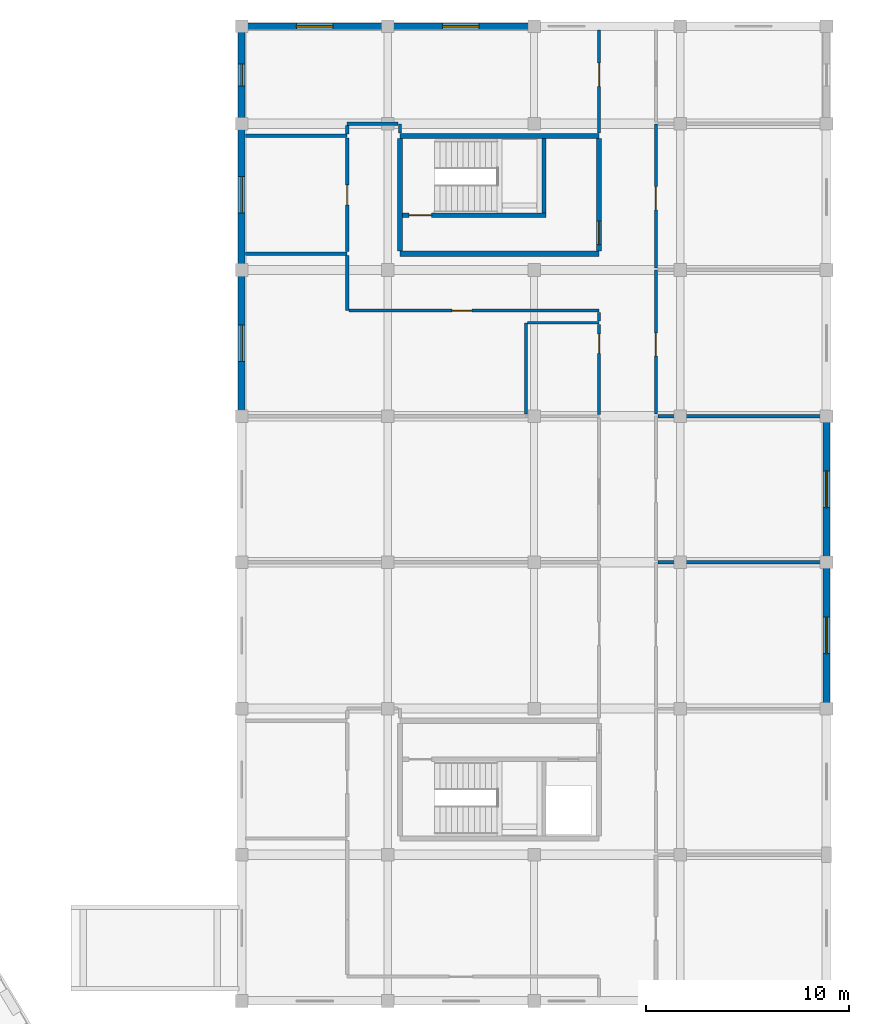
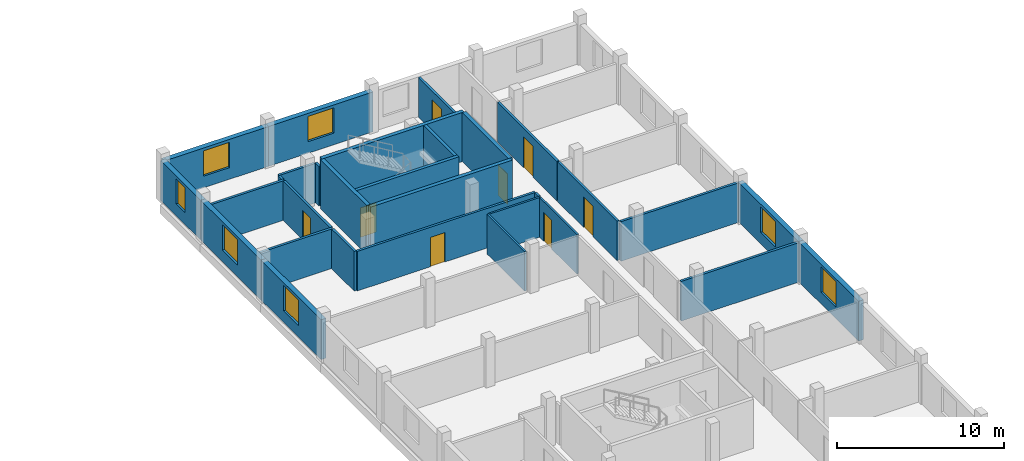
# One storey, part 83 of 93: 30 walls, 8 doors, 7 windows, 15 openings.
"""IFC4 building model written with IfcOpenShell, lengths in metres."""

import ifcopenshell
import ifcopenshell.guid

model = None  # the IFC model being written
_history = None  # IfcOwnerHistory: only IFC2X3 demands one
_inside = {}  # id of a spatial element -> (the spatial element, [elements in it])
_under = {}  # id of a project, library or spatial element -> (it, [spatial elements below it])
_declared = {}  # id of a project -> (the project, [libraries it declares])
_typed = {}  # id of a type object -> (the type object, [elements of that type])
_made_of = {}  # id of a material, layer set ... -> (it, [elements and type objects made of it])


def new_model(schema):
    """Start an empty IFC model of exactly this schema.

    Asked for "IFC4X3", IfcOpenShell would pick the latest addendum, in which some entities
    have other attributes; the version numbers below select the first issue.
    IFC2X3 requires an IfcOwnerHistory on every rooted entity: one is made here for all.
    """
    global model, _history
    if schema == "IFC4X3":
        model = ifcopenshell.file(schema_version=(4, 3, 0, 0))
    else:
        model = ifcopenshell.file(schema=schema)
    _inside.clear()
    _under.clear()
    _declared.clear()
    _typed.clear()
    _made_of.clear()
    _history = None
    if model.schema == "IFC2X3":
        org = make("IfcOrganization", Name="unknown")
        user = make(
            "IfcPersonAndOrganization",
            ThePerson=make("IfcPerson", FamilyName="unknown"),
            TheOrganization=org,
        )
        app = make(
            "IfcApplication",
            ApplicationDeveloper=org,
            Version="unknown",
            ApplicationFullName="unknown",
            ApplicationIdentifier="unknown",
        )
        _history = make(
            "IfcOwnerHistory",
            OwningUser=user,
            OwningApplication=app,
            ChangeAction="ADDED",
            CreationDate=0,
        )
    return model


def make(cls, **values):
    """One entity of the class cls with the attributes given. An attribute that is None is left unset."""
    return model.create_entity(
        cls, **{name: value for name, value in values.items() if value is not None}
    )


def rooted(cls, **values):
    """An entity with a GlobalId (a new one), such as an element, a storey or a relation."""
    return make(cls, GlobalId=ifcopenshell.guid.new(), OwnerHistory=_history, **values)


def si_unit(unit_type, name, prefix=None):
    """IfcSIUnit, for example si_unit("LENGTHUNIT", "METRE", prefix="MILLI")."""
    return make("IfcSIUnit", UnitType=unit_type, Prefix=prefix, Name=name)


def assignment(units):
    """IfcUnitAssignment: the units of a project."""
    return None if units is None else make("IfcUnitAssignment", Units=units)


def point(xyz):
    """IfcCartesianPoint."""
    return None if xyz is None else make("IfcCartesianPoint", Coordinates=xyz)


def direction(xyz):
    """IfcDirection."""
    return None if xyz is None else make("IfcDirection", DirectionRatios=xyz)


def frame(location, z_axis=None, x_axis=None):
    """IfcAxis2Placement3D, a coordinate frame: its origin and axes. An axis left out is left unset."""
    return make(
        "IfcAxis2Placement3D",
        Location=point(location),
        Axis=direction(z_axis),
        RefDirection=direction(x_axis),
    )


def frame_2d(location, x_axis=None):
    """IfcAxis2Placement2D, a coordinate frame in the plane: its origin and x axis."""
    return make(
        "IfcAxis2Placement2D", Location=point(location), RefDirection=direction(x_axis)
    )


def origin():
    """The frame at (0, 0, 0) with its axes left unset."""
    return frame((0.0, 0.0, 0.0))


def place(relative_to, where):
    """IfcLocalPlacement: puts the frame where relative to a parent placement (None: the world)."""
    return make(
        "IfcLocalPlacement", PlacementRelTo=relative_to, RelativePlacement=where
    )


def context(
    kind, dimensions, precision=None, world=None, true_north=None, identifier=None
):
    """IfcGeometricRepresentationContext, for example the 3D "Model" context."""
    return make(
        "IfcGeometricRepresentationContext",
        ContextIdentifier=identifier,
        ContextType=kind,
        CoordinateSpaceDimension=dimensions,
        Precision=precision,
        WorldCoordinateSystem=world,
        TrueNorth=true_north,
    )


def subcontext(parent, identifier, kind, view, scale=None):
    """IfcGeometricRepresentationSubContext, for example "Body" below "Model"."""
    return make(
        "IfcGeometricRepresentationSubContext",
        ContextIdentifier=identifier,
        ContextType=kind,
        ParentContext=parent,
        TargetScale=scale,
        TargetView=view,
    )


def project(units=None, contexts=None):
    """IfcProject with its units and contexts."""
    return rooted(
        "IfcProject",
        Name="project",
        RepresentationContexts=contexts,
        UnitsInContext=assignment(units),
    )


def spatial(cls, under=None, at=None, **own):
    """A site, building, storey or space (cls), placed at a placement, below another one or the project."""
    s = rooted(cls, ObjectPlacement=at, **own)
    if under is not None:
        _under.setdefault(under.id(), (under, []))[1].append(s)
    return s


def profile(cls, at=None, kind="AREA", **sizes):
    """A parametric profile (cls). Its sizes go by their IFC names, for example OverallWidth=200.0."""
    return make(cls, ProfileType=kind, Position=at, **sizes)


def rectangle(**sizes):
    """IfcRectangleProfileDef."""
    return profile("IfcRectangleProfileDef", **sizes)


def extrude(swept, where, along, depth):
    """IfcExtrudedAreaSolid: the profile swept, set in the frame where, extruded along a direction by depth."""
    return make(
        "IfcExtrudedAreaSolid",
        SweptArea=swept,
        Position=where,
        ExtrudedDirection=direction(along),
        Depth=depth,
    )


def shape(context_of_items, identifier, shape_type, items):
    """IfcShapeRepresentation: the items that make up one representation, for example the "Body"."""
    return make(
        "IfcShapeRepresentation",
        ContextOfItems=context_of_items,
        RepresentationIdentifier=identifier,
        RepresentationType=shape_type,
        Items=items,
    )


def material(Name=None, Category=None):
    """IfcMaterial."""
    return make("IfcMaterial", Name=Name, Category=Category)


def layer(
    of_material, thickness, ventilated=None, Name=None, Category=None, Priority=None
):
    """IfcMaterialLayer: one layer of a wall or slab, of a material (None: an air gap)."""
    return make(
        "IfcMaterialLayer",
        Material=of_material,
        LayerThickness=thickness,
        IsVentilated=ventilated,
        Name=Name,
        Category=Category,
        Priority=Priority,
    )


def layer_set(layers, Name=None):
    """IfcMaterialLayerSet."""
    return make("IfcMaterialLayerSet", MaterialLayers=layers, LayerSetName=Name)


def made_of(thing, what):
    """Note that an element or type object is made of a material, layer set ...; save() writes the relation."""
    if what is not None:
        _made_of.setdefault(what.id(), (what, []))[1].append(thing)
    return thing


def type_object(cls, material=None, **own):
    """A type object (cls), such as IfcWallType, which elements share."""
    return made_of(rooted(cls, **own), material)


def element(
    cls,
    number,
    at=None,
    inside=None,
    cuts=None,
    type_object=None,
    material=None,
    context=None,
    identifier="Body",
    shape_type=None,
    held_by="IfcProductDefinitionShape",
    body=None,
    shapes=None,
    **own,
):
    """One element of the class cls, such as IfcWall. Its Tag is "e" and its number.

    at: its placement. inside: the storey or other place that contains it. cuts: it is an
    opening in that element (IfcRelVoidsElement). A single representation is given by context,
    identifier, shape_type and body (its items); several are given by shapes. held_by: the class
    of the entity that holds the representations. save() writes the other relations.
    """
    e = rooted(cls, Tag="e%d" % number, ObjectPlacement=at, **own)
    if body is not None:
        shapes = [shape(context, identifier, shape_type, body)]
    if shapes is not None:
        e.Representation = make(held_by, Representations=shapes)
    if inside is not None:
        _inside.setdefault(inside.id(), (inside, []))[1].append(e)
    if cuts is not None:
        rooted(
            "IfcRelVoidsElement", RelatingBuildingElement=cuts, RelatedOpeningElement=e
        )
    if type_object is not None:
        _typed.setdefault(type_object.id(), (type_object, []))[1].append(e)
    return made_of(e, material)


def fill(opening, filler):
    """IfcRelFillsElement: the door or window that sits in an opening."""
    return rooted(
        "IfcRelFillsElement",
        RelatingOpeningElement=opening,
        RelatedBuildingElement=filler,
    )


def aggregate(whole, parts):
    """IfcRelAggregates: a whole, such as a stair, and the parts it consists of."""
    return rooted("IfcRelAggregates", RelatingObject=whole, RelatedObjects=parts)


def save(model, path):
    """Write the relations noted so far, then the file.

    IfcRelAggregates (storeys below a building ...), IfcRelContainedInSpatialStructure (elements
    in a storey), IfcRelDefinesByType, IfcRelAssociatesMaterial and IfcRelDeclares: one each for
    every whole, place, type object, material and project.
    """
    for whole, parts in _under.values():
        aggregate(whole, parts)
    for where, things in _inside.values():
        rooted(
            "IfcRelContainedInSpatialStructure",
            RelatedElements=things,
            RelatingStructure=where,
        )
    for kind, things in _typed.values():
        rooted("IfcRelDefinesByType", RelatedObjects=things, RelatingType=kind)
    for what, things in _made_of.values():
        rooted("IfcRelAssociatesMaterial", RelatedObjects=things, RelatingMaterial=what)
    for by, libraries in _declared.values():
        rooted("IfcRelDeclares", RelatingContext=by, RelatedDefinitions=libraries)
    model.write(path)


model = new_model("IFC4")

# Units and contexts
model_context = context("Model", 3, precision=1e-05, world=origin(), true_north=direction((0.0, 1.0)))
body_context = subcontext(model_context, "Body", "Model", "MODEL_VIEW")
ifc_project = project(units=[si_unit("LENGTHUNIT", "METRE"), si_unit("AREAUNIT", "SQUARE_METRE"), si_unit("VOLUMEUNIT", "CUBIC_METRE"), si_unit("PLANEANGLEUNIT", "RADIAN"), si_unit("MASSUNIT", "GRAM", prefix="KILO")], contexts=[model_context])

# Site, building, storey
site_placement = place(None, origin())
site = spatial("IfcSite", under=ifc_project, at=site_placement, CompositionType="ELEMENT")
building_placement = place(site_placement, origin())
building = spatial("IfcBuilding", under=site, at=building_placement, Name="Zornivar Specialist Clinic", CompositionType="ELEMENT")
storey_placement = place(building_placement, frame((0.0, 0.0, 8.39990234375)))
storey = spatial("IfcBuildingStorey", under=building, at=storey_placement, Name="L02", CompositionType="ELEMENT", Elevation=8.39990234375)

# Wall, opening, window
ifc_material_1 = material(Name="Masonry Laboratory Terracotta and Stone Cavity Wall", Category="masonry")
ifc_layer_1 = layer(ifc_material_1, 0.340087890625)
ifc_layer_set_1 = layer_set([ifc_layer_1], Name="Masonry Laboratory Terracotta and Stone Cavity Wall")
wall_type_1 = type_object("IfcWallType", Name="EW-LAB-340", PredefinedType="SOLIDWALL", material=ifc_layer_set_1)
wall_1_placement = place(storey_placement, frame((165.60009765625, 79.199951171875, 0.0), z_axis=(0.0, 0.0, 1.0), x_axis=(0.0, 1.0, 0.0)))
wall_1 = element("IfcWall", 1, at=wall_1_placement, inside=storey, type_object=wall_type_1, Name="ew:V6:L02:06", PredefinedType="SOLIDWALL", context=body_context, shape_type="SweptSolid", body=[
    extrude(rectangle(XDim=7.199951171875, YDim=0.340087890625, at=frame_2d((3.60009765625, 0.0))), origin(), (0.0, 0.0, 1.0), 2.91015625),
])
opening_1_placement = place(wall_1_placement, frame((2.699951171875, 0.0, 0.85009765625)))
opening_1 = element("IfcOpeningElement", 2, at=opening_1_placement, cuts=wall_1, Name="Opening W-20", PredefinedType="OPENING", context=body_context, shape_type="SweptSolid", body=[
    extrude(rectangle(XDim=1.800048828125, YDim=1.85009765625, at=frame_2d((0.89990234375, 0.925048828125))), frame((0.0, 0.179931640625, 0.0), z_axis=(0.0, -1.0, 0.0), x_axis=(1.0, 0.0, 0.0)), (0.0, 0.0, 1.0), 0.360107421875),
])
ifc_material_2 = material(Name="Triple-Glazed Aluminium-Timber Window Glass", Category="wood")
window_type_1 = type_object("IfcWindowType", Name="WIN-LAB-LOWER-1800x1850", PartitioningType="SINGLE_PANEL", PredefinedType="WINDOW", material=ifc_material_2)
window_1_placement = place(opening_1_placement, origin())
window_1 = element("IfcWindow", 3, at=window_1_placement, inside=storey, type_object=window_type_1, Name="win:V6:L02:06", OverallHeight=1.85009765625, OverallWidth=1.800048828125, PartitioningType="SINGLE_PANEL", PredefinedType="WINDOW", context=body_context, shape_type="SweptSolid", body=[
    extrude(rectangle(XDim=1.800048828125, YDim=1.85009765625, at=frame_2d((0.89990234375, 0.925048828125))), frame((0.0, 0.030029296875, 0.0), z_axis=(0.0, -1.0, 0.0), x_axis=(1.0, 0.0, 0.0)), (0.0, 0.0, 1.0), 0.06005859375),
])
fill(opening_1, window_1)

wall_2_placement = place(storey_placement, frame((165.60009765625, 86.39990234375, 0.0), z_axis=(0.0, 0.0, 1.0), x_axis=(0.0, 1.0, 0.0)))
wall_2 = element("IfcWall", 4, at=wall_2_placement, inside=storey, type_object=wall_type_1, Name="ew:V6:L02:07", PredefinedType="SOLIDWALL", context=body_context, shape_type="SweptSolid", body=[
    extrude(rectangle(XDim=7.2001953125, YDim=0.340087890625, at=frame_2d((3.60009765625, 0.0))), origin(), (0.0, 0.0, 1.0), 2.91015625),
])
opening_2_placement = place(wall_2_placement, frame((2.699951171875, 0.0, 0.85009765625)))
opening_2 = element("IfcOpeningElement", 5, at=opening_2_placement, cuts=wall_2, Name="Opening W-20", PredefinedType="OPENING", context=body_context, shape_type="SweptSolid", body=[
    extrude(rectangle(XDim=1.800048828125, YDim=1.85009765625, at=frame_2d((0.89990234375, 0.925048828125))), frame((0.0, 0.179931640625, 0.0), z_axis=(0.0, -1.0, 0.0), x_axis=(1.0, 0.0, 0.0)), (0.0, 0.0, 1.0), 0.360107421875),
])
window_2_placement = place(opening_2_placement, origin())
window_2 = element("IfcWindow", 6, at=window_2_placement, inside=storey, type_object=window_type_1, Name="win:V6:L02:07", OverallHeight=1.85009765625, OverallWidth=1.800048828125, PartitioningType="SINGLE_PANEL", PredefinedType="WINDOW", context=body_context, shape_type="SweptSolid", body=[
    extrude(rectangle(XDim=1.800048828125, YDim=1.85009765625, at=frame_2d((0.89990234375, 0.925048828125))), frame((0.0, 0.030029296875, 0.0), z_axis=(0.0, -1.0, 0.0), x_axis=(1.0, 0.0, 0.0)), (0.0, 0.0, 1.0), 0.06005859375),
])
fill(opening_2, window_2)

wall_3_placement = place(storey_placement, frame((151.199951171875, 112.800048828125, 0.0), z_axis=(0.0, 0.0, 1.0), x_axis=(-1.0, 0.0, 0.0)))
wall_3 = element("IfcWall", 7, at=wall_3_placement, inside=storey, type_object=wall_type_1, Name="ew:V6:L02:13", PredefinedType="SOLIDWALL", context=body_context, shape_type="SweptSolid", body=[
    extrude(rectangle(XDim=7.199951171875, YDim=0.340087890625, at=frame_2d((3.60009765625, 0.0))), origin(), (0.0, 0.0, 1.0), 2.91015625),
])
opening_3_placement = place(wall_3_placement, frame((2.699951171875, 0.0, 0.85009765625)))
opening_3 = element("IfcOpeningElement", 8, at=opening_3_placement, cuts=wall_3, Name="Opening W-20", PredefinedType="OPENING", context=body_context, shape_type="SweptSolid", body=[
    extrude(rectangle(XDim=1.800048828125, YDim=1.85009765625, at=frame_2d((0.89990234375, 0.925048828125))), frame((0.0, 0.179931640625, 0.0), z_axis=(0.0, -1.0, 0.0), x_axis=(1.0, 0.0, 0.0)), (0.0, 0.0, 1.0), 0.360107421875),
])
window_3_placement = place(opening_3_placement, origin())
window_3 = element("IfcWindow", 9, at=window_3_placement, inside=storey, type_object=window_type_1, Name="win:V6:L02:13", OverallHeight=1.85009765625, OverallWidth=1.800048828125, PartitioningType="SINGLE_PANEL", PredefinedType="WINDOW", context=body_context, shape_type="SweptSolid", body=[
    extrude(rectangle(XDim=1.800048828125, YDim=1.85009765625, at=frame_2d((0.89990234375, 0.925048828125))), frame((0.0, 0.030029296875, 0.0), z_axis=(0.0, -1.0, 0.0), x_axis=(1.0, 0.0, 0.0)), (0.0, 0.0, 1.0), 0.06005859375),
])
fill(opening_3, window_3)

wall_4_placement = place(storey_placement, frame((144.0, 112.800048828125, 0.0), z_axis=(0.0, 0.0, 1.0), x_axis=(-1.0, 0.0, 0.0)))
wall_4 = element("IfcWall", 10, at=wall_4_placement, inside=storey, type_object=wall_type_1, Name="ew:V6:L02:14", PredefinedType="SOLIDWALL", context=body_context, shape_type="SweptSolid", body=[
    extrude(rectangle(XDim=7.199951171875, YDim=0.340087890625, at=frame_2d((3.60009765625, 0.0))), origin(), (0.0, 0.0, 1.0), 2.91015625),
])
opening_4_placement = place(wall_4_placement, frame((2.699951171875, 0.0, 0.85009765625)))
opening_4 = element("IfcOpeningElement", 11, at=opening_4_placement, cuts=wall_4, Name="Opening W-20", PredefinedType="OPENING", context=body_context, shape_type="SweptSolid", body=[
    extrude(rectangle(XDim=1.800048828125, YDim=1.85009765625, at=frame_2d((0.89990234375, 0.925048828125))), frame((0.0, 0.179931640625, 0.0), z_axis=(0.0, -1.0, 0.0), x_axis=(1.0, 0.0, 0.0)), (0.0, 0.0, 1.0), 0.360107421875),
])
window_4_placement = place(opening_4_placement, origin())
window_4 = element("IfcWindow", 12, at=window_4_placement, inside=storey, type_object=window_type_1, Name="win:V6:L02:14", OverallHeight=1.85009765625, OverallWidth=1.800048828125, PartitioningType="SINGLE_PANEL", PredefinedType="WINDOW", context=body_context, shape_type="SweptSolid", body=[
    extrude(rectangle(XDim=1.800048828125, YDim=1.85009765625, at=frame_2d((0.89990234375, 0.925048828125))), frame((0.0, 0.030029296875, 0.0), z_axis=(0.0, -1.0, 0.0), x_axis=(1.0, 0.0, 0.0)), (0.0, 0.0, 1.0), 0.06005859375),
])
fill(opening_4, window_4)

wall_5_placement = place(storey_placement, frame((136.800048828125, 112.800048828125, 0.0), z_axis=(0.0, 0.0, 1.0), x_axis=(0.0, -1.0, 0.0)))
wall_5 = element("IfcWall", 13, at=wall_5_placement, inside=storey, type_object=wall_type_1, Name="ew:V6:L02:15", PredefinedType="SOLIDWALL", context=body_context, shape_type="SweptSolid", body=[
    extrude(rectangle(XDim=4.800048828125, YDim=0.340087890625, at=frame_2d((2.39990234375, 0.0))), origin(), (0.0, 0.0, 1.0), 2.91015625),
])
opening_5_placement = place(wall_5_placement, frame((1.85009765625, 0.0, 0.85009765625)))
opening_5 = element("IfcOpeningElement", 14, at=opening_5_placement, cuts=wall_5, Name="Opening W-07", PredefinedType="OPENING", context=body_context, shape_type="SweptSolid", body=[
    extrude(rectangle(XDim=1.10009765625, YDim=1.85009765625, at=frame_2d((0.550048828125, 0.925048828125))), frame((0.0, 0.179931640625, 0.0), z_axis=(0.0, -1.0, 0.0), x_axis=(1.0, 0.0, 0.0)), (0.0, 0.0, 1.0), 0.360107421875),
])
ifc_material_3 = material(Name="Triple-Glazed Aluminium-Timber Window Glass", Category="wood")
window_type_2 = type_object("IfcWindowType", Name="WIN-OUTP-PIER-1100x1850", PartitioningType="SINGLE_PANEL", PredefinedType="WINDOW", material=ifc_material_3)
window_5_placement = place(opening_5_placement, origin())
window_5 = element("IfcWindow", 15, at=window_5_placement, inside=storey, type_object=window_type_2, Name="win:V6:L02:15", OverallHeight=1.85009765625, OverallWidth=1.10009765625, PartitioningType="SINGLE_PANEL", PredefinedType="WINDOW", context=body_context, shape_type="SweptSolid", body=[
    extrude(rectangle(XDim=1.10009765625, YDim=1.85009765625, at=frame_2d((0.550048828125, 0.925048828125))), frame((0.0, 0.030029296875, 0.0), z_axis=(0.0, -1.0, 0.0), x_axis=(1.0, 0.0, 0.0)), (0.0, 0.0, 1.0), 0.06005859375),
])
fill(opening_5, window_5)

wall_6_placement = place(storey_placement, frame((136.800048828125, 108.0, 0.0), z_axis=(0.0, 0.0, 1.0), x_axis=(0.0, -1.0, 0.0)))
wall_6 = element("IfcWall", 16, at=wall_6_placement, inside=storey, type_object=wall_type_1, Name="ew:V6:L02:16", PredefinedType="SOLIDWALL", context=body_context, shape_type="SweptSolid", body=[
    extrude(rectangle(XDim=7.199951171875, YDim=0.340087890625, at=frame_2d((3.60009765625, 0.0))), origin(), (0.0, 0.0, 1.0), 2.91015625),
])
opening_6_placement = place(wall_6_placement, frame((2.60009765625, 0.0, 0.85009765625)))
opening_6 = element("IfcOpeningElement", 17, at=opening_6_placement, cuts=wall_6, Name="Opening W-20", PredefinedType="OPENING", context=body_context, shape_type="SweptSolid", body=[
    extrude(rectangle(XDim=1.800048828125, YDim=1.85009765625, at=frame_2d((0.89990234375, 0.925048828125))), frame((0.0, 0.179931640625, 0.0), z_axis=(0.0, -1.0, 0.0), x_axis=(1.0, 0.0, 0.0)), (0.0, 0.0, 1.0), 0.360107421875),
])
window_6_placement = place(opening_6_placement, origin())
window_6 = element("IfcWindow", 18, at=window_6_placement, inside=storey, type_object=window_type_1, Name="win:V6:L02:16", OverallHeight=1.85009765625, OverallWidth=1.800048828125, PartitioningType="SINGLE_PANEL", PredefinedType="WINDOW", context=body_context, shape_type="SweptSolid", body=[
    extrude(rectangle(XDim=1.800048828125, YDim=1.85009765625, at=frame_2d((0.89990234375, 0.925048828125))), frame((0.0, 0.030029296875, 0.0), z_axis=(0.0, -1.0, 0.0), x_axis=(1.0, 0.0, 0.0)), (0.0, 0.0, 1.0), 0.06005859375),
])
fill(opening_6, window_6)

wall_7_placement = place(storey_placement, frame((136.800048828125, 100.800048828125, 0.0), z_axis=(0.0, 0.0, 1.0), x_axis=(0.0, -1.0, 0.0)))
wall_7 = element("IfcWall", 19, at=wall_7_placement, inside=storey, type_object=wall_type_1, Name="ew:V6:L02:17", PredefinedType="SOLIDWALL", context=body_context, shape_type="SweptSolid", body=[
    extrude(rectangle(XDim=7.199951171875, YDim=0.340087890625, at=frame_2d((3.60009765625, 0.0))), origin(), (0.0, 0.0, 1.0), 2.91015625),
])
opening_7_placement = place(wall_7_placement, frame((2.699951171875, 0.0, 0.85009765625)))
opening_7 = element("IfcOpeningElement", 20, at=opening_7_placement, cuts=wall_7, Name="Opening W-20", PredefinedType="OPENING", context=body_context, shape_type="SweptSolid", body=[
    extrude(rectangle(XDim=1.800048828125, YDim=1.85009765625, at=frame_2d((0.89990234375, 0.925048828125))), frame((0.0, 0.179931640625, 0.0), z_axis=(0.0, -1.0, 0.0), x_axis=(1.0, 0.0, 0.0)), (0.0, 0.0, 1.0), 0.360107421875),
])
window_7_placement = place(opening_7_placement, origin())
window_7 = element("IfcWindow", 21, at=window_7_placement, inside=storey, type_object=window_type_1, Name="win:V6:L02:17", OverallHeight=1.85009765625, OverallWidth=1.800048828125, PartitioningType="SINGLE_PANEL", PredefinedType="WINDOW", context=body_context, shape_type="SweptSolid", body=[
    extrude(rectangle(XDim=1.800048828125, YDim=1.85009765625, at=frame_2d((0.89990234375, 0.925048828125))), frame((0.0, 0.030029296875, 0.0), z_axis=(0.0, -1.0, 0.0), x_axis=(1.0, 0.0, 0.0)), (0.0, 0.0, 1.0), 0.06005859375),
])
fill(opening_7, window_7)

# Wall
ifc_material_4 = material(Name="Gypsum Fire-Rated Double Stud Partition")
ifc_layer_2 = layer(ifc_material_4, 0.159912109375)
ifc_layer_set_2 = layer_set([ifc_layer_2], Name="Gypsum Fire-Rated Double Stud Partition")
wall_type_2 = type_object("IfcWallType", Name="IW-CORR-EI60-160", PredefinedType="PARTITIONING", material=ifc_layer_set_2)
wall_8_placement = place(storey_placement, frame((142.0, 101.5009765625, 0.0), z_axis=(0.0, 0.0, 1.0), x_axis=(0.0, -1.0, 0.0)))
element("IfcWall", 22, at=wall_8_placement, inside=storey, type_object=wall_type_2, Name="iw:L02:152", PredefinedType="PARTITIONING", context=body_context, shape_type="SweptSolid", body=[
    extrude(rectangle(XDim=2.700927734375, YDim=0.159912109375, at=frame_2d((1.3505859375, 0.0))), origin(), (0.0, 0.0, 1.0), 2.89013671875),
])

# Wall, opening, door
wall_9_placement = place(storey_placement, frame((142.093994140625, 98.800048828125, 0.0), z_axis=(0.0, 0.0, 1.0), x_axis=(1.0, 0.0, 0.0)))
wall_9 = element("IfcWall", 23, at=wall_9_placement, inside=storey, type_object=wall_type_2, Name="iw:L02:153", PredefinedType="PARTITIONING", context=body_context, shape_type="SweptSolid", body=[
    extrude(rectangle(XDim=12.305908203125, YDim=0.159912109375, at=frame_2d((6.15283203125, 0.0))), origin(), (0.0, 0.0, 1.0), 2.89013671875),
])
opening_8_placement = place(wall_9_placement, frame((5.06005859375, 0.0, 0.0)))
opening_8 = element("IfcOpeningElement", 24, at=opening_8_placement, cuts=wall_9, Name="Opening ID-09", PredefinedType="OPENING", context=body_context, shape_type="SweptSolid", body=[
    extrude(rectangle(XDim=0.97998046875, YDim=2.14990234375, at=frame_2d((0.489990234375, 1.074951171875))), frame((0.0, 0.08984375, 0.0), z_axis=(0.0, -1.0, 0.0), x_axis=(1.0, 0.0, 0.0)), (0.0, 0.0, 1.0), 0.179931640625),
])
ifc_material_5 = material(Name="Solid-Core Hygienic Laminate Timber Door", Category="wood")
door_type_1 = type_object("IfcDoorType", Name="ID-STAFF-0980x2150", OperationType="NOTDEFINED", PredefinedType="DOOR", material=ifc_material_5)
door_1_placement = place(opening_8_placement, origin())
door_1 = element("IfcDoor", 25, at=door_1_placement, inside=storey, type_object=door_type_1, Name="door:space:V6:L02:rm:04b", OperationType="SINGLE_SWING_LEFT", OverallHeight=2.14990234375, OverallWidth=0.97998046875, PredefinedType="DOOR", context=body_context, shape_type="SweptSolid", body=[
    extrude(rectangle(XDim=0.97998046875, YDim=2.14990234375, at=frame_2d((0.489990234375, 1.074951171875))), frame((0.0, 0.02490234375, 0.0), z_axis=(0.0, -1.0, 0.0), x_axis=(1.0, 0.0, 0.0)), (0.0, 0.0, 1.0), 0.050048828125),
])
fill(opening_8, door_1)

# Wall
wall_10_placement = place(storey_placement, frame((154.39990234375, 98.7060546875, 0.0), z_axis=(0.0, 0.0, 1.0), x_axis=(0.0, -1.0, 0.0)))
element("IfcWall", 26, at=wall_10_placement, inside=storey, type_object=wall_type_2, Name="iw:L02:154", PredefinedType="PARTITIONING", context=body_context, shape_type="SweptSolid", body=[
    extrude(rectangle(XDim=0.427001953125, YDim=0.159912109375, at=frame_2d((0.21337890625, 0.0))), origin(), (0.0, 0.0, 1.0), 2.89013671875),
])

# Wall, opening, door
wall_11_placement = place(storey_placement, frame((142.0, 107.301025390625, 0.0), z_axis=(0.0, 0.0, 1.0), x_axis=(0.0, -1.0, 0.0)))
wall_11 = element("IfcWall", 27, at=wall_11_placement, inside=storey, type_object=wall_type_2, Name="iw:L02:156", PredefinedType="PARTITIONING", context=body_context, shape_type="SweptSolid", body=[
    extrude(rectangle(XDim=5.60205078125, YDim=0.159912109375, at=frame_2d((2.801025390625, 0.0))), origin(), (0.0, 0.0, 1.0), 2.89013671875),
])
opening_9_placement = place(wall_11_placement, frame((2.31103515625, 0.0, 0.0)))
opening_9 = element("IfcOpeningElement", 28, at=opening_9_placement, cuts=wall_11, Name="Opening ID-09", PredefinedType="OPENING", context=body_context, shape_type="SweptSolid", body=[
    extrude(rectangle(XDim=0.97998046875, YDim=2.14990234375, at=frame_2d((0.489990234375, 1.074951171875))), frame((0.0, 0.08984375, 0.0), z_axis=(0.0, -1.0, 0.0), x_axis=(1.0, 0.0, 0.0)), (0.0, 0.0, 1.0), 0.179931640625),
])
door_2_placement = place(opening_9_placement, origin())
door_2 = element("IfcDoor", 29, at=door_2_placement, inside=storey, type_object=door_type_1, Name="door:space:V6:L02:rm:06", OperationType="SINGLE_SWING_RIGHT", OverallHeight=2.14990234375, OverallWidth=0.97998046875, PredefinedType="DOOR", context=body_context, shape_type="SweptSolid", body=[
    extrude(rectangle(XDim=0.97998046875, YDim=2.14990234375, at=frame_2d((0.489990234375, 1.074951171875))), frame((0.0, 0.02490234375, 0.0), z_axis=(0.0, -1.0, 0.0), x_axis=(1.0, 0.0, 0.0)), (0.0, 0.0, 1.0), 0.050048828125),
])
fill(opening_9, door_2)

# Walls
wall_12_placement = place(storey_placement, frame((144.60009765625, 107.544921875, 0.0), z_axis=(0.0, 0.0, 1.0), x_axis=(0.0, 1.0, 0.0)))
element("IfcWall", 30, at=wall_12_placement, inside=storey, type_object=wall_type_2, Name="iw:L02:157", PredefinedType="PARTITIONING", context=body_context, shape_type="SweptSolid", body=[
    extrude(rectangle(XDim=0.455078125, YDim=0.159912109375, at=frame_2d((0.2275390625, 0.0))), origin(), (0.0, 0.0, 1.0), 2.89013671875),
])
wall_13_placement = place(storey_placement, frame((144.506103515625, 108.0, 0.0), z_axis=(0.0, 0.0, 1.0), x_axis=(-1.0, 0.0, 0.0)))
element("IfcWall", 31, at=wall_13_placement, inside=storey, type_object=wall_type_2, Name="iw:L02:158", PredefinedType="PARTITIONING", context=body_context, shape_type="SweptSolid", body=[
    extrude(rectangle(XDim=2.506103515625, YDim=0.159912109375, at=frame_2d((1.2529296875, 0.0))), origin(), (0.0, 0.0, 1.0), 2.89013671875),
])
wall_14_placement = place(storey_placement, frame((142.0, 107.906005859375, 0.0), z_axis=(0.0, 0.0, 1.0), x_axis=(0.0, -1.0, 0.0)))
element("IfcWall", 32, at=wall_14_placement, inside=storey, type_object=wall_type_2, Name="iw:L02:159", PredefinedType="PARTITIONING", context=body_context, shape_type="SweptSolid", body=[
    extrude(rectangle(XDim=0.406982421875, YDim=0.159912109375, at=frame_2d((0.20361328125, 0.0))), origin(), (0.0, 0.0, 1.0), 2.89013671875),
])

# Wall, opening, door
wall_15_placement = place(storey_placement, frame((154.39990234375, 112.614990234375, 0.0), z_axis=(0.0, 0.0, 1.0), x_axis=(0.0, -1.0, 0.0)))
wall_15 = element("IfcWall", 33, at=wall_15_placement, inside=storey, type_object=wall_type_2, Name="iw:L02:160", PredefinedType="PARTITIONING", context=body_context, shape_type="SweptSolid", body=[
    extrude(rectangle(XDim=5.070068359375, YDim=0.159912109375, at=frame_2d((2.53515625, 0.0))), origin(), (0.0, 0.0, 1.0), 2.89013671875),
])
opening_10_placement = place(wall_15_placement, frame((1.617919921875, 0.0, 0.0)))
opening_10 = element("IfcOpeningElement", 34, at=opening_10_placement, cuts=wall_15, Name="Opening ID-06", PredefinedType="OPENING", context=body_context, shape_type="SweptSolid", body=[
    extrude(rectangle(XDim=1.14990234375, YDim=2.25, at=frame_2d((0.574951171875, 1.125))), frame((0.0, 0.08984375, 0.0), z_axis=(0.0, -1.0, 0.0), x_axis=(1.0, 0.0, 0.0)), (0.0, 0.0, 1.0), 0.179931640625),
])
ifc_material_6 = material(Name="Solid-Core Hygienic Laminate Timber Door", Category="wood")
door_type_2 = type_object("IfcDoorType", Name="ID-LAB-1150x2250", OperationType="NOTDEFINED", PredefinedType="DOOR", material=ifc_material_6)
door_3_placement = place(opening_10_placement, origin())
door_3 = element("IfcDoor", 35, at=door_3_placement, inside=storey, type_object=door_type_2, Name="door:space:V6:L02:rm:07", OperationType="SINGLE_SWING_LEFT", OverallHeight=2.25, OverallWidth=1.14990234375, PredefinedType="DOOR", context=body_context, shape_type="SweptSolid", body=[
    extrude(rectangle(XDim=1.14990234375, YDim=2.25, at=frame_2d((0.574951171875, 1.125))), frame((0.0, 0.02490234375, 0.0), z_axis=(0.0, -1.0, 0.0), x_axis=(1.0, 0.0, 0.0)), (0.0, 0.0, 1.0), 0.050048828125),
])
fill(opening_10, door_3)

wall_16_placement = place(storey_placement, frame((157.199951171875, 93.698974609375, 0.0), z_axis=(0.0, 0.0, 1.0), x_axis=(0.0, 1.0, 0.0)))
wall_16 = element("IfcWall", 36, at=wall_16_placement, inside=storey, type_object=wall_type_2, Name="iw:L02:169", PredefinedType="PARTITIONING", context=body_context, shape_type="SweptSolid", body=[
    extrude(rectangle(XDim=7.10107421875, YDim=0.159912109375, at=frame_2d((3.550537109375, 0.0))), origin(), (0.0, 0.0, 1.0), 2.89013671875),
])
opening_11_placement = place(wall_16_placement, frame((2.85693359375, 0.0, 0.0)))
opening_11 = element("IfcOpeningElement", 37, at=opening_11_placement, cuts=wall_16, Name="Opening ID-06", PredefinedType="OPENING", context=body_context, shape_type="SweptSolid", body=[
    extrude(rectangle(XDim=1.14990234375, YDim=2.25, at=frame_2d((0.574951171875, 1.125))), frame((0.0, 0.08984375, 0.0), z_axis=(0.0, -1.0, 0.0), x_axis=(1.0, 0.0, 0.0)), (0.0, 0.0, 1.0), 0.179931640625),
])
door_4_placement = place(opening_11_placement, origin())
door_4 = element("IfcDoor", 38, at=door_4_placement, inside=storey, type_object=door_type_2, Name="door:space:V6:L02:rm:12", OperationType="SINGLE_SWING_RIGHT", OverallHeight=2.25, OverallWidth=1.14990234375, PredefinedType="DOOR", context=body_context, shape_type="SweptSolid", body=[
    extrude(rectangle(XDim=1.14990234375, YDim=2.25, at=frame_2d((0.574951171875, 1.125))), frame((0.0, 0.02490234375, 0.0), z_axis=(0.0, -1.0, 0.0), x_axis=(1.0, 0.0, 0.0)), (0.0, 0.0, 1.0), 0.050048828125),
])
fill(opening_11, door_4)

wall_17_placement = place(storey_placement, frame((157.199951171875, 100.89892578125, 0.0), z_axis=(0.0, 0.0, 1.0), x_axis=(0.0, 1.0, 0.0)))
wall_17 = element("IfcWall", 39, at=wall_17_placement, inside=storey, type_object=wall_type_2, Name="iw:L02:171", PredefinedType="PARTITIONING", context=body_context, shape_type="SweptSolid", body=[
    extrude(rectangle(XDim=7.10107421875, YDim=0.159912109375, at=frame_2d((3.550537109375, 0.0))), origin(), (0.0, 0.0, 1.0), 2.89013671875),
])
opening_12_placement = place(wall_17_placement, frame((2.85693359375, 0.0, 0.0)))
opening_12 = element("IfcOpeningElement", 40, at=opening_12_placement, cuts=wall_17, Name="Opening ID-06", PredefinedType="OPENING", context=body_context, shape_type="SweptSolid", body=[
    extrude(rectangle(XDim=1.14990234375, YDim=2.25, at=frame_2d((0.574951171875, 1.125))), frame((0.0, 0.08984375, 0.0), z_axis=(0.0, -1.0, 0.0), x_axis=(1.0, 0.0, 0.0)), (0.0, 0.0, 1.0), 0.179931640625),
])
door_5_placement = place(opening_12_placement, origin())
door_5 = element("IfcDoor", 41, at=door_5_placement, inside=storey, type_object=door_type_2, Name="door:space:V6:L02:rm:13", OperationType="SINGLE_SWING_LEFT", OverallHeight=2.25, OverallWidth=1.14990234375, PredefinedType="DOOR", context=body_context, shape_type="SweptSolid", body=[
    extrude(rectangle(XDim=1.14990234375, YDim=2.25, at=frame_2d((0.574951171875, 1.125))), frame((0.0, 0.02490234375, 0.0), z_axis=(0.0, -1.0, 0.0), x_axis=(1.0, 0.0, 0.0)), (0.0, 0.0, 1.0), 0.050048828125),
])
fill(opening_12, door_5)

# Walls
ifc_material_7 = material(Name="Laboratory Chemical-Resistant Stud Partition")
ifc_layer_3 = layer(ifc_material_7, 0.169921875)
ifc_layer_set_3 = layer_set([ifc_layer_3], Name="Laboratory Chemical-Resistant Stud Partition")
wall_type_3 = type_object("IfcWallType", Name="IW-LAB-EI60-170", PredefinedType="PARTITIONING", material=ifc_layer_set_3)
for number, where, z_axis, x_axis, name in (
    (42, (136.985107421875, 101.60009765625, 0.0), (0.0, 0.0, 1.0), (1.0, 0.0, 0.0), "iw:L02:151"),
    (43, (136.985107421875, 107.39990234375, 0.0), (0.0, 0.0, 1.0), (1.0, 0.0, 0.0), "iw:L02:155"),
):
    element("IfcWall", number, at=place(storey_placement, frame(where, z_axis=z_axis, x_axis=x_axis)), inside=storey, type_object=wall_type_3, Name=name, PredefinedType="PARTITIONING", context=body_context, shape_type="SweptSolid", body=[
        extrude(rectangle(XDim=5.014892578125, YDim=0.169921875, at=frame_2d((2.50732421875, 0.0))), origin(), (0.0, 0.0, 1.0), 2.89013671875),
    ])
for number, where, z_axis, x_axis, name in (
    (44, (157.2939453125, 86.39990234375, 0.0), (0.0, 0.0, 1.0), (1.0, 0.0, 0.0), "iw:L02:166"),
    (45, (157.2939453125, 93.60009765625, 0.0), (0.0, 0.0, 1.0), (1.0, 0.0, 0.0), "iw:L02:168"),
):
    element("IfcWall", number, at=place(storey_placement, frame(where, z_axis=z_axis, x_axis=x_axis)), inside=storey, type_object=wall_type_3, Name=name, PredefinedType="PARTITIONING", context=body_context, shape_type="SweptSolid", body=[
        extrude(rectangle(XDim=8.12109375, YDim=0.169921875, at=frame_2d((4.060546875, 0.0))), origin(), (0.0, 0.0, 1.0), 2.89013671875),
    ])
ifc_material_8 = material(Name="Moisture-Resistant Sanitary Partition")
ifc_layer_4 = layer(ifc_material_8, 0.1298828125)
ifc_layer_set_4 = layer_set([ifc_layer_4], Name="Moisture-Resistant Sanitary Partition")
wall_type_4 = type_object("IfcWallType", Name="IW-WET-130", PredefinedType="PARTITIONING", material=ifc_layer_set_4)
wall_18_placement = place(storey_placement, frame((150.800048828125, 93.698974609375, 0.0), z_axis=(0.0, 0.0, 1.0), x_axis=(0.0, 1.0, 0.0)))
element("IfcWall", 46, at=wall_18_placement, inside=storey, type_object=wall_type_4, Name="iw:L02:148", PredefinedType="PARTITIONING", context=body_context, shape_type="SweptSolid", body=[
    extrude(rectangle(XDim=4.5009765625, YDim=0.1298828125, at=frame_2d((2.25048828125, 0.0))), origin(), (0.0, 0.0, 1.0), 2.89013671875),
])
wall_19_placement = place(storey_placement, frame((150.87890625, 98.199951171875, 0.0), z_axis=(0.0, 0.0, 1.0), x_axis=(1.0, 0.0, 0.0)))
element("IfcWall", 47, at=wall_19_placement, inside=storey, type_object=wall_type_4, Name="iw:L02:149", PredefinedType="PARTITIONING", context=body_context, shape_type="SweptSolid", body=[
    extrude(rectangle(XDim=3.52099609375, YDim=0.1298828125, at=frame_2d((1.760498046875, 0.0))), origin(), (0.0, 0.0, 1.0), 2.89013671875),
])

# Wall, opening, door
wall_20_placement = place(storey_placement, frame((154.39990234375, 98.12109375, 0.0), z_axis=(0.0, 0.0, 1.0), x_axis=(0.0, -1.0, 0.0)))
wall_20 = element("IfcWall", 48, at=wall_20_placement, inside=storey, type_object=wall_type_4, Name="iw:L02:150", PredefinedType="PARTITIONING", context=body_context, shape_type="SweptSolid", body=[
    extrude(rectangle(XDim=4.442138671875, YDim=0.1298828125, at=frame_2d((2.22119140625, 0.0))), origin(), (0.0, 0.0, 1.0), 2.89013671875),
])
opening_13_placement = place(wall_20_placement, frame((0.47998046875, 0.0, 0.0)))
opening_13 = element("IfcOpeningElement", 49, at=opening_13_placement, cuts=wall_20, Name="Opening ID-07", PredefinedType="OPENING", context=body_context, shape_type="SweptSolid", body=[
    extrude(rectangle(XDim=0.949951171875, YDim=2.10009765625, at=frame_2d((0.47509765625, 1.050048828125))), frame((0.0, 0.074951171875, 0.0), z_axis=(0.0, -1.0, 0.0), x_axis=(1.0, 0.0, 0.0)), (0.0, 0.0, 1.0), 0.14990234375),
])
ifc_material_9 = material(Name="Solid-Core Hygienic Laminate Timber Door", Category="wood")
door_type_3 = type_object("IfcDoorType", Name="ID-WC-ACC-0950x2100", OperationType="NOTDEFINED", PredefinedType="DOOR", material=ifc_material_9)
door_6_placement = place(opening_13_placement, origin())
door_6 = element("IfcDoor", 50, at=door_6_placement, inside=storey, type_object=door_type_3, Name="door:space:V6:L02:rm:04", OperationType="SINGLE_SWING_RIGHT", OverallHeight=2.10009765625, OverallWidth=0.949951171875, PredefinedType="DOOR", context=body_context, shape_type="SweptSolid", body=[
    extrude(rectangle(XDim=0.949951171875, YDim=2.10009765625, at=frame_2d((0.47509765625, 1.050048828125))), frame((0.0, 0.02490234375, 0.0), z_axis=(0.0, -1.0, 0.0), x_axis=(1.0, 0.0, 0.0)), (0.0, 0.0, 1.0), 0.050048828125),
])
fill(opening_13, door_6)

# Wall
ifc_material_10 = material(Name="Concrete C35/45", Category="concrete")
ifc_layer_5 = layer(ifc_material_10, 0.260009765625)
ifc_layer_set_5 = layer_set([ifc_layer_5], Name="Concrete C35/45")
wall_type_5 = type_object("IfcWallType", Name="SW-CORE-260", PredefinedType="SHEAR", material=ifc_layer_set_5)
wall_21_placement = place(storey_placement, frame((144.60009765625, 101.60009765625, 0.0), z_axis=(0.0, 0.0, 1.0), x_axis=(1.0, 0.0, 0.0)))
element("IfcWall", 51, at=wall_21_placement, inside=storey, type_object=wall_type_5, Name="sw:C10:L02:w0", PredefinedType="SHEAR", context=body_context, shape_type="SweptSolid", body=[
    extrude(rectangle(XDim=9.7998046875, YDim=0.260009765625, at=frame_2d((4.89990234375, 0.0))), origin(), (0.0, 0.0, 1.0), 3.580078125),
])

# Wall, opening, door
wall_22_placement = place(storey_placement, frame((154.39990234375, 101.72998046875, 0.0), z_axis=(0.0, 0.0, 1.0), x_axis=(0.0, 1.0, 0.0)))
wall_22 = element("IfcWall", 52, at=wall_22_placement, inside=storey, type_object=wall_type_5, Name="sw:C10:L02:w1", PredefinedType="SHEAR", context=body_context, shape_type="SweptSolid", body=[
    extrude(rectangle(XDim=5.5400390625, YDim=0.260009765625, at=frame_2d((2.77001953125, 0.0))), origin(), (0.0, 0.0, 1.0), 3.580078125),
])
opening_14_placement = place(wall_22_placement, frame((0.320068359375, 0.0, 0.0)))
opening_14 = element("IfcOpeningElement", 53, at=opening_14_placement, cuts=wall_22, Name="Opening FD-03", PredefinedType="OPENING", context=body_context, shape_type="SweptSolid", body=[
    extrude(rectangle(XDim=1.14990234375, YDim=2.199951171875, at=frame_2d((0.574951171875, 1.10009765625))), frame((0.0, 0.139892578125, 0.0), z_axis=(0.0, -1.0, 0.0), x_axis=(1.0, 0.0, 0.0)), (0.0, 0.0, 1.0), 0.280029296875),
])
ifc_material_11 = material(Name="Solid-Core Hygienic Laminate Timber Door", Category="wood")
door_type_4 = type_object("IfcDoorType", Name="FD-LOBBY-UPPER-1150x2200", OperationType="NOTDEFINED", PredefinedType="DOOR", material=ifc_material_11)
door_7_placement = place(opening_14_placement, origin())
door_7 = element("IfcDoor", 54, at=door_7_placement, inside=storey, type_object=door_type_4, Name="door:C10:L02:lob", OperationType="SINGLE_SWING_RIGHT", OverallHeight=2.199951171875, OverallWidth=1.14990234375, PredefinedType="DOOR", context=body_context, shape_type="SweptSolid", body=[
    extrude(rectangle(XDim=1.14990234375, YDim=2.199951171875, at=frame_2d((0.574951171875, 1.10009765625))), frame((0.0, 0.02490234375, 0.0), z_axis=(0.0, -1.0, 0.0), x_axis=(1.0, 0.0, 0.0)), (0.0, 0.0, 1.0), 0.050048828125),
])
fill(opening_14, door_7)

# Walls
wall_23_placement = place(storey_placement, frame((154.39990234375, 107.39990234375, 0.0), z_axis=(0.0, 0.0, 1.0), x_axis=(-1.0, 0.0, 0.0)))
element("IfcWall", 55, at=wall_23_placement, inside=storey, type_object=wall_type_5, Name="sw:C10:L02:w2", PredefinedType="SHEAR", context=body_context, shape_type="SweptSolid", body=[
    extrude(rectangle(XDim=9.7998046875, YDim=0.260009765625, at=frame_2d((4.89990234375, 0.0))), origin(), (0.0, 0.0, 1.0), 3.580078125),
])
wall_24_placement = place(storey_placement, frame((144.60009765625, 107.27001953125, 0.0), z_axis=(0.0, 0.0, 1.0), x_axis=(0.0, -1.0, 0.0)))
element("IfcWall", 56, at=wall_24_placement, inside=storey, type_object=wall_type_5, Name="sw:C10:L02:w3", PredefinedType="SHEAR", context=body_context, shape_type="SweptSolid", body=[
    extrude(rectangle(XDim=5.5400390625, YDim=0.260009765625, at=frame_2d((2.77001953125, 0.0))), origin(), (0.0, 0.0, 1.0), 3.580078125),
])
ifc_material_12 = material(Name="Concrete C30/37", Category="concrete")
ifc_layer_6 = layer(ifc_material_12, 0.199951171875)
ifc_layer_set_6 = layer_set([ifc_layer_6], Name="Concrete C30/37")
wall_type_6 = type_object("IfcWallType", Name="SW-LIFT-200", PredefinedType="SHEAR", material=ifc_layer_set_6)
wall_25_placement = place(storey_placement, frame((151.699951171875, 103.60009765625, 0.0), z_axis=(0.0, 0.0, 1.0), x_axis=(0.0, 1.0, 0.0)))
element("IfcWall", 57, at=wall_25_placement, inside=storey, type_object=wall_type_6, Name="sw:C10:L02:sdiv", PredefinedType="SHEAR", context=body_context, shape_type="SweptSolid", body=[
    extrude(rectangle(XDim=3.669921875, YDim=0.199951171875, at=frame_2d((1.8349609375, 0.0))), origin(), (0.0, 0.0, 1.0), 3.580078125),
])

# Wall, opening, door
ifc_material_13 = material(Name="Concrete C30/37", Category="concrete")
ifc_layer_7 = layer(ifc_material_13, 0.219970703125)
ifc_layer_set_7 = layer_set([ifc_layer_7], Name="Concrete C30/37")
wall_type_7 = type_object("IfcWallType", Name="SW-SHAFT-220", PredefinedType="SHEAR", material=ifc_layer_set_7)
wall_26_placement = place(storey_placement, frame((144.72998046875, 103.489990234375, 0.0), z_axis=(0.0, 0.0, 1.0), x_axis=(1.0, 0.0, 0.0)))
wall_26 = element("IfcWall", 58, at=wall_26_placement, inside=storey, type_object=wall_type_7, Name="sw:C10:L02:stwall", PredefinedType="SHEAR", context=body_context, shape_type="SweptSolid", body=[
    extrude(rectangle(XDim=7.070068359375, YDim=0.219970703125, at=frame_2d((3.53515625, 0.0))), origin(), (0.0, 0.0, 1.0), 3.580078125),
])
opening_15_placement = place(wall_26_placement, frame((0.320068359375, 0.0, 0.0)))
opening_15 = element("IfcOpeningElement", 59, at=opening_15_placement, cuts=wall_26, Name="Opening FD-02", PredefinedType="OPENING", context=body_context, shape_type="SweptSolid", body=[
    extrude(rectangle(XDim=1.10009765625, YDim=2.14990234375, at=frame_2d((0.550048828125, 1.074951171875))), frame((0.0, 0.119873046875, 0.0), z_axis=(0.0, -1.0, 0.0), x_axis=(1.0, 0.0, 0.0)), (0.0, 0.0, 1.0), 0.239990234375),
])
ifc_material_14 = material(Name="Solid-Core Hygienic Laminate Timber Door", Category="wood")
door_type_5 = type_object("IfcDoorType", Name="FD-STAIR-1100x2150", OperationType="NOTDEFINED", PredefinedType="DOOR", material=ifc_material_14)
door_8_placement = place(opening_15_placement, origin())
door_8 = element("IfcDoor", 60, at=door_8_placement, inside=storey, type_object=door_type_5, Name="door:C10:L02:stair", OperationType="SINGLE_SWING_LEFT", OverallHeight=2.14990234375, OverallWidth=1.10009765625, PredefinedType="DOOR", context=body_context, shape_type="SweptSolid", body=[
    extrude(rectangle(XDim=1.10009765625, YDim=2.14990234375, at=frame_2d((0.550048828125, 1.074951171875))), frame((0.0, 0.02490234375, 0.0), z_axis=(0.0, -1.0, 0.0), x_axis=(1.0, 0.0, 0.0)), (0.0, 0.0, 1.0), 0.050048828125),
])
fill(opening_15, door_8)

save(model, "model.ifc")
